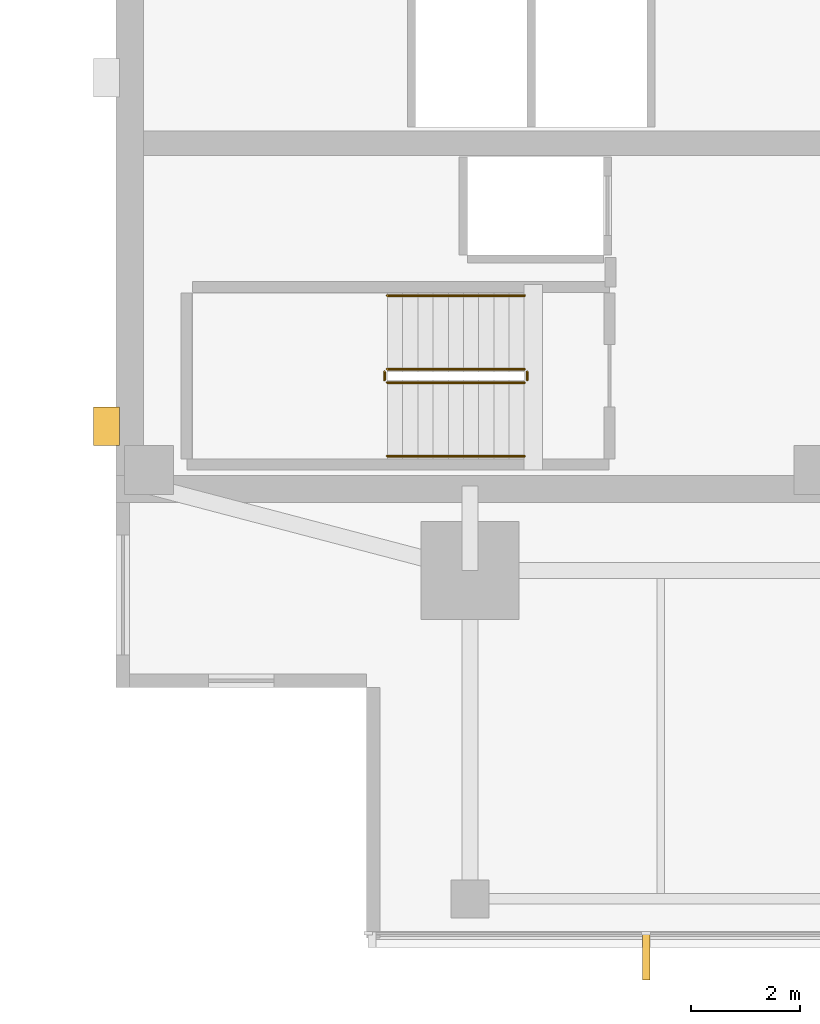
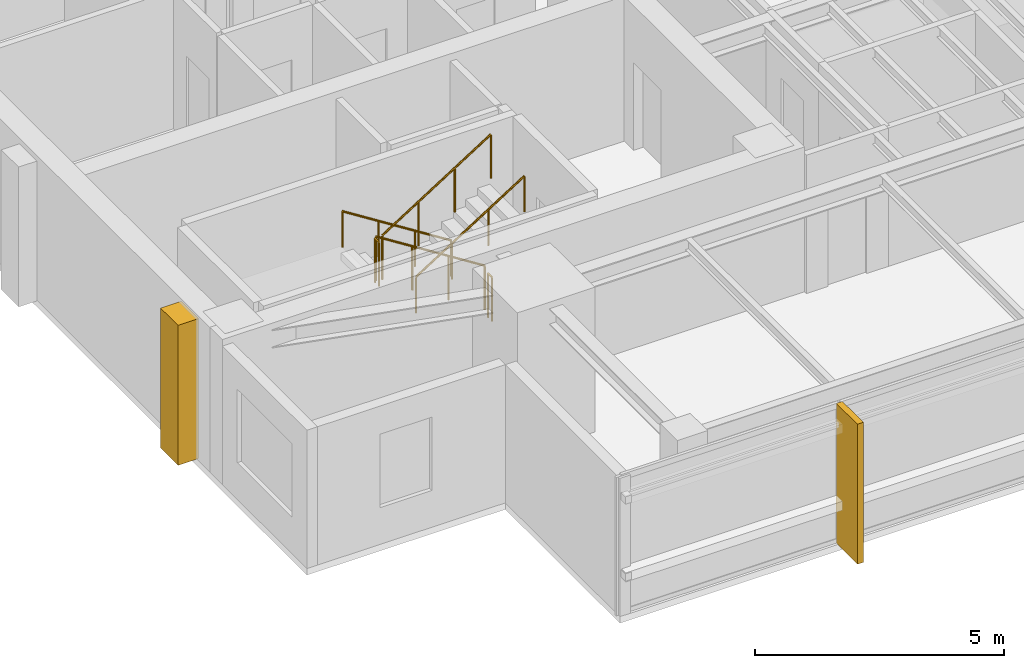
# One storey, part 11 of 14: 6 railings, 2 coverings.
"""IFC4 building model written with IfcOpenShell, lengths in metres."""

from ifc_helpers import new_model, si_unit, direction, frame, origin, origin_2d, place, context, subcontext, project, spatial, polyline, circle, outline, extrude, material, layer, layer_set, type_object, element, save


model = new_model("IFC4")

# Units and contexts
model_context = context("Model", 3, precision=1e-05, world=origin(), true_north=direction((0.0, 1.0)))
body_context = subcontext(model_context, "Body", "Model", "MODEL_VIEW")
ifc_project = project(units=[si_unit("LENGTHUNIT", "METRE"), si_unit("AREAUNIT", "SQUARE_METRE"), si_unit("VOLUMEUNIT", "CUBIC_METRE"), si_unit("PLANEANGLEUNIT", "RADIAN"), si_unit("MASSUNIT", "GRAM", prefix="KILO")], contexts=[model_context])

# Site, building, storey
site_placement = place(None, origin())
site = spatial("IfcSite", under=ifc_project, at=site_placement, CompositionType="ELEMENT")
building_placement = place(site_placement, origin())
building = spatial("IfcBuilding", under=site, at=building_placement, Name="Kinhvarn Gate Tower", CompositionType="ELEMENT")
storey_placement = place(building_placement, frame((0.0, 0.0, 263.449951171875)))
storey = spatial("IfcBuildingStorey", under=building, at=storey_placement, Name="L70", CompositionType="ELEMENT", Elevation=263.449951171875)

# Coverings
ifc_material_1 = material(Name="Fired architectural terracotta", Category="masonry")
ifc_layer_1 = layer(ifc_material_1, 0.139892578125)
ifc_layer_set_1 = layer_set([ifc_layer_1], Name="Fired architectural terracotta")
covering_type_1 = type_object("IfcCoveringType", Name="COV-FIN-850", PredefinedType="CLADDING", material=ifc_layer_set_1)
covering_1_placement = place(storey_placement, frame((0.0, 0.0, -0.02001953125)))
element("IfcCovering", 1, at=covering_1_placement, inside=storey, type_object=covering_type_1, Name="Vertical Terracotta Expressive Fin TFN-850 (L70)", PredefinedType="CLADDING", context=body_context, shape_type="SweptSolid", body=[
    extrude(outline(polyline([(14.163330078125, 6.080078125), (14.30322265625, 6.080078125), (14.30322265625, 5.22998046875), (14.163330078125, 5.22998046875), (14.163330078125, 6.080078125)])), origin(), (0.0, 0.0, 1.0), 3.43017578125),
])
ifc_material_2 = material(Name="Precast white architectural concrete C40/50", Category="concrete")
ifc_layer_2 = layer(ifc_material_2, 0.47998046875)
ifc_layer_set_2 = layer_set([ifc_layer_2], Name="Precast white architectural concrete C40/50")
covering_type_2 = type_object("IfcCoveringType", Name="COV-RIB-450", PredefinedType="CLADDING", material=ifc_layer_set_2)
covering_2_placement = place(storey_placement, frame((0.0, 0.0, -0.02001953125)))
element("IfcCovering", 2, at=covering_2_placement, inside=storey, type_object=covering_type_2, Name="West Core Sculptural Concrete Relief Rib CRB-450 (L70)", PredefinedType="CLADDING", context=body_context, shape_type="SweptSolid", body=[
    extrude(outline(polyline([(4.080078125, 15.050048828125), (4.56005859375, 15.050048828125), (4.56005859375, 15.75), (4.080078125, 15.75), (4.080078125, 15.050048828125)])), origin(), (0.0, 0.0, 1.0), 3.43017578125),
])

# Railings
ifc_material_3 = material(Name="Steel S355", Category="steel")
railing_type_1 = type_object("IfcRailingType", Name="RL-ST-GRD", PredefinedType="BALUSTRADE", material=ifc_material_3)
railing_1_placement = place(storey_placement, frame((12.0, 16.449951171875, 0.177490234375)))
element("IfcRailing", 3, at=railing_1_placement, inside=storey, type_object=railing_type_1, Name="L70 ST1 stair guard 1", PredefinedType="BALUSTRADE", context=body_context, shape_type="SweptSolid", body=[
    extrude(circle(Radius=0.02392578125, at=origin_2d()), frame((0.0, 0.0, 1.076171875), z_axis=(-0.84456994832, 0.0, 0.535445237532), x_axis=(0.0, -1.0, 0.0)), (0.0, 0.0, 1.0), 2.98388671875),
    extrude(circle(Radius=0.02099609375, at=origin_2d()), origin(), (0.0, 0.0, 1.0), 1.052001953125),
    extrude(circle(Radius=0.02099609375, at=origin_2d()), frame((-0.840087890625, 0.0, 0.532470703125)), (0.0, 0.0, 1.0), 1.052001953125),
    extrude(circle(Radius=0.02099609375, at=origin_2d()), frame((-1.679931640625, 0.0, 1.065185546875)), (0.0, 0.0, 1.0), 1.052001953125),
    extrude(circle(Radius=0.02099609375, at=origin_2d()), frame((-2.52001953125, 0.0, 1.59765625)), (0.0, 0.0, 1.0), 1.052001953125),
])
railing_2_placement = place(storey_placement, frame((9.429931640625, 16.39990234375, 1.775146484375)))
element("IfcRailing", 4, at=railing_2_placement, inside=storey, type_object=railing_type_1, Name="L70 ST1 stair guard 2", PredefinedType="BALUSTRADE", context=body_context, shape_type="SweptSolid", body=[
    extrude(circle(Radius=0.02392578125, at=origin_2d()), frame((0.0, 0.0, 1.076171875), z_axis=(0.0, -1.0, 0.0), x_axis=(1.0, 0.0, 0.0)), (0.0, 0.0, 1.0), 0.14990234375),
    extrude(circle(Radius=0.02099609375, at=origin_2d()), origin(), (0.0, 0.0, 1.0), 1.052001953125),
    extrude(circle(Radius=0.02099609375, at=origin_2d()), frame((0.0, -0.14990234375, 0.0)), (0.0, 0.0, 1.0), 1.052001953125),
])
railing_3_placement = place(storey_placement, frame((9.47998046875, 16.199951171875, 1.95263671875)))
element("IfcRailing", 5, at=railing_3_placement, inside=storey, type_object=railing_type_1, Name="L70 ST1 stair guard 3", PredefinedType="BALUSTRADE", context=body_context, shape_type="SweptSolid", body=[
    extrude(circle(Radius=0.02392578125, at=origin_2d()), frame((0.0, 0.0, 1.076171875), z_axis=(0.84460694969, 0.0, 0.535386869969), x_axis=(0.0, 1.0, 0.0)), (0.0, 0.0, 1.0), 2.983642578125),
    extrude(circle(Radius=0.02099609375, at=origin_2d()), origin(), (0.0, 0.0, 1.0), 1.052001953125),
    extrude(circle(Radius=0.02099609375, at=origin_2d()), frame((0.840087890625, 0.0, 0.532470703125)), (0.0, 0.0, 1.0), 1.052001953125),
    extrude(circle(Radius=0.02099609375, at=origin_2d()), frame((1.679931640625, 0.0, 1.06494140625)), (0.0, 0.0, 1.0), 1.052001953125),
    extrude(circle(Radius=0.02099609375, at=origin_2d()), frame((2.52001953125, 0.0, 1.597412109375)), (0.0, 0.0, 1.0), 1.052001953125),
])
railing_4_placement = place(storey_placement, frame((12.050048828125, 16.39990234375, 0.0)))
element("IfcRailing", 6, at=railing_4_placement, inside=storey, type_object=railing_type_1, Name="L70 ST1 stair guard 4", PredefinedType="BALUSTRADE", context=body_context, shape_type="SweptSolid", body=[
    extrude(circle(Radius=0.02392578125, at=origin_2d()), frame((0.0, 0.0, 1.076171875), z_axis=(0.0, -1.0, 0.0), x_axis=(1.0, 0.0, 0.0)), (0.0, 0.0, 1.0), 0.14990234375),
    extrude(circle(Radius=0.02099609375, at=origin_2d()), origin(), (0.0, 0.0, 1.0), 1.052001953125),
    extrude(circle(Radius=0.02099609375, at=origin_2d()), frame((0.0, -0.14990234375, 0.0)), (0.0, 0.0, 1.0), 1.052001953125),
])
railing_type_2 = type_object("IfcRailingType", Name="RL-ST-HND", PredefinedType="HANDRAIL", material=ifc_material_3)
railing_5_placement = place(storey_placement, frame((12.0, 17.800048828125, 0.177490234375)))
element("IfcRailing", 7, at=railing_5_placement, inside=storey, type_object=railing_type_2, Name="L70 ST1 stair handrail 1", PredefinedType="HANDRAIL", context=body_context, shape_type="SweptSolid", body=[
    extrude(circle(Radius=0.02392578125, at=origin_2d()), frame((0.0, 0.0, 0.8759765625), z_axis=(-0.84456994832, 0.0, 0.535445237532), x_axis=(0.0, -1.0, 0.0)), (0.0, 0.0, 1.0), 2.98388671875),
    extrude(circle(Radius=0.02099609375, at=origin_2d()), origin(), (0.0, 0.0, 1.0), 0.851806640625),
    extrude(circle(Radius=0.02099609375, at=origin_2d()), frame((-0.840087890625, 0.0, 0.532470703125)), (0.0, 0.0, 1.0), 0.851806640625),
    extrude(circle(Radius=0.02099609375, at=origin_2d()), frame((-1.679931640625, 0.0, 1.065185546875)), (0.0, 0.0, 1.0), 0.851806640625),
    extrude(circle(Radius=0.02099609375, at=origin_2d()), frame((-2.52001953125, 0.0, 1.59765625)), (0.0, 0.0, 1.0), 0.851806640625),
])
railing_6_placement = place(storey_placement, frame((9.47998046875, 14.85009765625, 1.95263671875)))
element("IfcRailing", 8, at=railing_6_placement, inside=storey, type_object=railing_type_2, Name="L70 ST1 stair handrail 2", PredefinedType="HANDRAIL", context=body_context, shape_type="SweptSolid", body=[
    extrude(circle(Radius=0.02392578125, at=origin_2d()), frame((0.0, 0.0, 0.8759765625), z_axis=(0.84460694969, 0.0, 0.535386869969), x_axis=(0.0, 1.0, 0.0)), (0.0, 0.0, 1.0), 2.983642578125),
    extrude(circle(Radius=0.02099609375, at=origin_2d()), origin(), (0.0, 0.0, 1.0), 0.851806640625),
    extrude(circle(Radius=0.02099609375, at=origin_2d()), frame((0.840087890625, 0.0, 0.532470703125)), (0.0, 0.0, 1.0), 0.851806640625),
    extrude(circle(Radius=0.02099609375, at=origin_2d()), frame((1.679931640625, 0.0, 1.06494140625)), (0.0, 0.0, 1.0), 0.851806640625),
    extrude(circle(Radius=0.02099609375, at=origin_2d()), frame((2.52001953125, 0.0, 1.597412109375)), (0.0, 0.0, 1.0), 0.851806640625),
])

save(model, "model.ifc")
